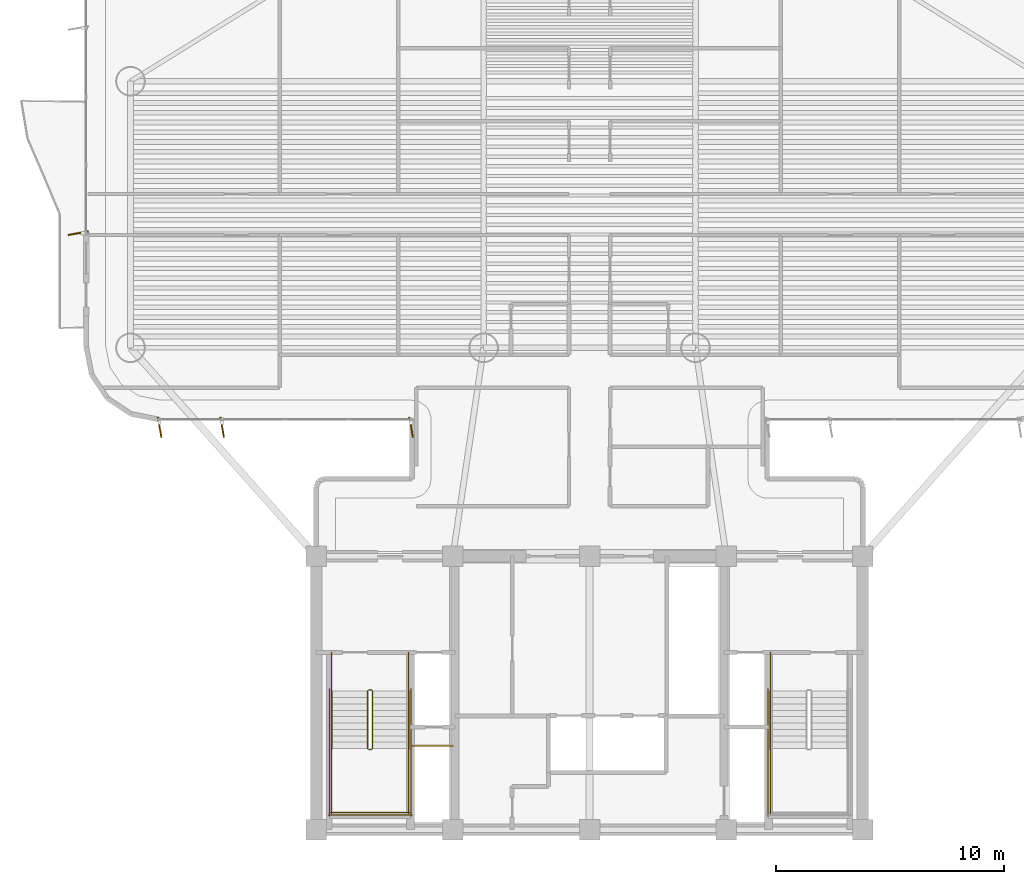
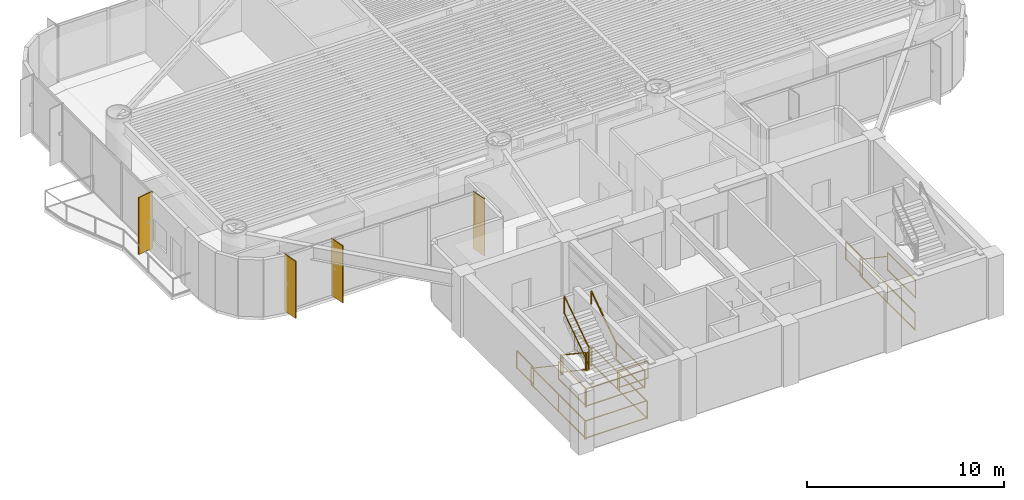
# One storey, part 13 of 16: 19 railings, 4 shading devices.
"""IFC4 building model written with IfcOpenShell, lengths in metres."""

from ifc_helpers import new_model, si_unit, direction, frame, origin, origin_2d, place, context, subcontext, project, spatial, rectangle, extrude, source, transform, mapped, material, layer, layer_set, material_profile, profile_set, type_object, element, save


model = new_model("IFC4")

# Units and contexts
model_context = context("Model", 3, precision=1e-05, world=origin(), true_north=direction((0.0, 1.0)))
body_context = subcontext(model_context, "Body", "Model", "MODEL_VIEW")
ifc_project = project(units=[si_unit("LENGTHUNIT", "METRE"), si_unit("AREAUNIT", "SQUARE_METRE"), si_unit("VOLUMEUNIT", "CUBIC_METRE"), si_unit("PLANEANGLEUNIT", "RADIAN"), si_unit("MASSUNIT", "GRAM", prefix="KILO")], contexts=[model_context])

# Site, building, storey
site_placement = place(None, origin())
site = spatial("IfcSite", under=ifc_project, at=site_placement, CompositionType="ELEMENT")
building_placement = place(site_placement, origin())
building = spatial("IfcBuilding", under=site, at=building_placement, Name="Brelvock Crest Care Tower", CompositionType="ELEMENT")
storey_placement = place(building_placement, frame((0.0, 0.0, 104.93994140625)))
storey = spatial("IfcBuildingStorey", under=building, at=storey_placement, Name="L26", CompositionType="ELEMENT", Elevation=104.93994140625)

# Railings
ifc_material_1 = material(Name="Steel Grade 350", Category="steel")
ifc_layer_1 = layer(ifc_material_1, 0.050048828125, Name="RL-STG1")
ifc_layer_set_1 = layer_set([ifc_layer_1], Name="Steel Grade 350")
railing_type_1 = type_object("IfcRailingType", Name="RL-STG1", PredefinedType="GUARDRAIL", material=ifc_layer_set_1)
railing_1_placement = place(storey_placement, frame((26.260009765625, 12.080078125, 0.18896484375)))
element("IfcRailing", 1, at=railing_1_placement, inside=storey, type_object=railing_type_1, Name="L26 ST-1 stair guard 1", PredefinedType="GUARDRAIL", context=body_context, shape_type="SweptSolid", body=[
    extrude(rectangle(XDim=0.048095703125, YDim=0.048095703125, at=origin_2d()), frame((0.0, -0.001708984375, 1.116943359375), z_axis=(0.0, -0.82882447046, 0.559508710537), x_axis=(1.0, 0.0, 0.0)), (0.0, 0.0, 1.0), 3.036376953125),
    extrude(rectangle(XDim=0.048095703125, YDim=0.048095703125, at=origin_2d()), frame((0.0, -0.001708984375, 0.05615234375), z_axis=(0.0, -0.82882447046, 0.559508710537), x_axis=(1.0, 0.0, 0.0)), (0.0, 0.0, 1.0), 3.036376953125),
    extrude(rectangle(XDim=0.0419921875, YDim=0.0419921875, at=origin_2d()), origin(), (0.0, 0.0, 1.0), 1.08984375),
    extrude(rectangle(XDim=0.0419921875, YDim=0.0419921875, at=origin_2d()), frame((0.0, -2.52001953125, 1.701171875)), (0.0, 0.0, 1.0), 1.08984375),
])
railing_2_placement = place(storey_placement, frame((26.31005859375, 9.510009765625, 1.89013671875)))
element("IfcRailing", 2, at=railing_2_placement, inside=storey, type_object=railing_type_1, Name="L26 ST-1 stair guard 2", PredefinedType="GUARDRAIL", context=body_context, shape_type="SweptSolid", body=[
    extrude(rectangle(XDim=0.048095703125, YDim=0.048095703125, at=origin_2d()), frame((0.001953125, 0.0, 1.11572265625), z_axis=(1.0, 0.0, 0.0), x_axis=(0.0, 1.0, 0.0)), (0.0, 0.0, 1.0), 0.115966796875),
    extrude(rectangle(XDim=0.048095703125, YDim=0.048095703125, at=origin_2d()), frame((0.001953125, 0.0, 0.054931640625), z_axis=(1.0, 0.0, 0.0), x_axis=(0.0, 1.0, 0.0)), (0.0, 0.0, 1.0), 0.115966796875),
    extrude(rectangle(XDim=0.0419921875, YDim=0.0419921875, at=origin_2d()), origin(), (0.0, 0.0, 1.0), 1.08984375),
    extrude(rectangle(XDim=0.0419921875, YDim=0.0419921875, at=origin_2d()), frame((0.119873046875, 0.0, 0.0)), (0.0, 0.0, 1.0), 1.08984375),
])
for number, where, name in (
    (3, (24.679931640625, 9.56005859375, 1.89013671875), "L26 ST-1 stair guard 3"),
    (4, (28.06005859375, 9.56005859375, 1.89013671875), "L26 ST-1 stair guard 4"),
):
    element("IfcRailing", number, at=place(storey_placement, frame(where)), inside=storey, type_object=railing_type_1, Name=name, PredefinedType="GUARDRAIL", context=body_context, shape_type="SweptSolid", body=[
        extrude(rectangle(XDim=0.048095703125, YDim=0.048095703125, at=origin_2d()), frame((0.0, -0.001953125, 1.11572265625), z_axis=(0.0, -1.0, 0.0), x_axis=(1.0, 0.0, 0.0)), (0.0, 0.0, 1.0), 2.856201171875),
        extrude(rectangle(XDim=0.048095703125, YDim=0.048095703125, at=origin_2d()), frame((0.0, -0.001953125, 0.054931640625), z_axis=(0.0, -1.0, 0.0), x_axis=(1.0, 0.0, 0.0)), (0.0, 0.0, 1.0), 2.856201171875),
        extrude(rectangle(XDim=0.0419921875, YDim=0.0419921875, at=origin_2d()), origin(), (0.0, 0.0, 1.0), 1.08984375),
        extrude(rectangle(XDim=0.0419921875, YDim=0.0419921875, at=origin_2d()), frame((0.0, -2.860107421875, 0.0)), (0.0, 0.0, 1.0), 1.08984375),
    ])
railing_3_placement = place(storey_placement, frame((24.6298828125, 6.75, 1.89013671875)))
element("IfcRailing", 5, at=railing_3_placement, inside=storey, type_object=railing_type_1, Name="L26 ST-1 stair guard 5", PredefinedType="GUARDRAIL", context=body_context, shape_type="SweptSolid", body=[
    extrude(rectangle(XDim=0.048095703125, YDim=0.048095703125, at=origin_2d()), frame((0.001953125, 0.0, 1.11572265625), z_axis=(1.0, 0.0, 0.0), x_axis=(0.0, 1.0, 0.0)), (0.0, 0.0, 1.0), 3.476318359375),
    extrude(rectangle(XDim=0.048095703125, YDim=0.048095703125, at=origin_2d()), frame((0.001953125, 0.0, 0.054931640625), z_axis=(1.0, 0.0, 0.0), x_axis=(0.0, 1.0, 0.0)), (0.0, 0.0, 1.0), 3.476318359375),
    extrude(rectangle(XDim=0.0419921875, YDim=0.0419921875, at=origin_2d()), origin(), (0.0, 0.0, 1.0), 1.08984375),
    extrude(rectangle(XDim=0.0419921875, YDim=0.0419921875, at=origin_2d()), frame((3.480224609375, 0.0, 0.0)), (0.0, 0.0, 1.0), 1.08984375),
])
railing_4_placement = place(storey_placement, frame((26.47998046875, 9.56005859375, 2.0791015625)))
element("IfcRailing", 6, at=railing_4_placement, inside=storey, type_object=railing_type_1, Name="L26 ST-1 stair guard 6", PredefinedType="GUARDRAIL", context=body_context, shape_type="SweptSolid", body=[
    extrude(rectangle(XDim=0.048095703125, YDim=0.048095703125, at=origin_2d()), frame((0.0, 0.001708984375, 1.116943359375), z_axis=(0.0, 0.828861706735, 0.559453546873), x_axis=(-1.0, 0.0, 0.0)), (0.0, 0.0, 1.0), 3.036376953125),
    extrude(rectangle(XDim=0.048095703125, YDim=0.048095703125, at=origin_2d()), frame((0.0, 0.001708984375, 0.05615234375), z_axis=(0.0, 0.828861706735, 0.559453546873), x_axis=(-1.0, 0.0, 0.0)), (0.0, 0.0, 1.0), 3.036376953125),
    extrude(rectangle(XDim=0.0419921875, YDim=0.0419921875, at=origin_2d()), origin(), (0.0, 0.0, 1.0), 1.08984375),
    extrude(rectangle(XDim=0.0419921875, YDim=0.0419921875, at=origin_2d()), frame((0.0, 2.52001953125, 1.700927734375)), (0.0, 0.0, 1.0), 1.08984375),
])
railing_5_placement = place(storey_placement, frame((26.31005859375, 12.1298828125, 0.0)))
element("IfcRailing", 7, at=railing_5_placement, inside=storey, type_object=railing_type_1, Name="L26 ST-1 stair guard 7", PredefinedType="GUARDRAIL", context=body_context, shape_type="SweptSolid", body=[
    extrude(rectangle(XDim=0.048095703125, YDim=0.048095703125, at=origin_2d()), frame((0.001953125, 0.0, 1.11572265625), z_axis=(1.0, 0.0, 0.0), x_axis=(0.0, 1.0, 0.0)), (0.0, 0.0, 1.0), 0.115966796875),
    extrude(rectangle(XDim=0.048095703125, YDim=0.048095703125, at=origin_2d()), frame((0.001953125, 0.0, 0.054931640625), z_axis=(1.0, 0.0, 0.0), x_axis=(0.0, 1.0, 0.0)), (0.0, 0.0, 1.0), 0.115966796875),
    extrude(rectangle(XDim=0.0419921875, YDim=0.0419921875, at=origin_2d()), origin(), (0.0, 0.0, 1.0), 1.08984375),
    extrude(rectangle(XDim=0.0419921875, YDim=0.0419921875, at=origin_2d()), frame((0.119873046875, 0.0, 0.0)), (0.0, 0.0, 1.0), 1.08984375),
])
for number, where, name in (
    (8, (24.679931640625, 13.780029296875, 0.0), "L26 ST-1 stair guard 8"),
    (9, (28.06005859375, 13.780029296875, 0.0), "L26 ST-1 stair guard 9"),
):
    element("IfcRailing", number, at=place(storey_placement, frame(where)), inside=storey, type_object=railing_type_1, Name=name, PredefinedType="GUARDRAIL", context=body_context, shape_type="SweptSolid", body=[
        extrude(rectangle(XDim=0.048095703125, YDim=0.048095703125, at=origin_2d()), frame((0.0, -0.001953125, 1.11572265625), z_axis=(0.0, -1.0, 0.0), x_axis=(1.0, 0.0, 0.0)), (0.0, 0.0, 1.0), 1.696044921875),
        extrude(rectangle(XDim=0.048095703125, YDim=0.048095703125, at=origin_2d()), frame((0.0, -0.001953125, 0.054931640625), z_axis=(0.0, -1.0, 0.0), x_axis=(1.0, 0.0, 0.0)), (0.0, 0.0, 1.0), 1.696044921875),
        extrude(rectangle(XDim=0.0419921875, YDim=0.0419921875, at=origin_2d()), origin(), (0.0, 0.0, 1.0), 1.08984375),
        extrude(rectangle(XDim=0.0419921875, YDim=0.0419921875, at=origin_2d()), frame((0.0, -1.699951171875, 0.0)), (0.0, 0.0, 1.0), 1.08984375),
    ])
for number, where, name in (
    (10, (24.580078125, 12.179931640625, 0.0), "L26 ST-1 stair guard 10"),
    (11, (28.159912109375, 12.179931640625, 0.0), "L26 ST-1 stair guard 11"),
):
    element("IfcRailing", number, at=place(storey_placement, frame(where)), inside=storey, type_object=railing_type_1, Name=name, PredefinedType="GUARDRAIL", context=body_context, shape_type="SweptSolid", body=[
        extrude(rectangle(XDim=0.048095703125, YDim=0.048095703125, at=origin_2d()), frame((0.0, -0.001953125, 1.11572265625), z_axis=(0.0, -1.0, 0.0), x_axis=(1.0, 0.0, 0.0)), (0.0, 0.0, 1.0), 5.575927734375),
        extrude(rectangle(XDim=0.048095703125, YDim=0.048095703125, at=origin_2d()), frame((0.0, -0.001953125, 0.054931640625), z_axis=(0.0, -1.0, 0.0), x_axis=(1.0, 0.0, 0.0)), (0.0, 0.0, 1.0), 5.575927734375),
        extrude(rectangle(XDim=0.0419921875, YDim=0.0419921875, at=origin_2d()), origin(), (0.0, 0.0, 1.0), 1.08984375),
        extrude(rectangle(XDim=0.0419921875, YDim=0.0419921875, at=origin_2d()), frame((0.0, -2.7900390625, 0.0)), (0.0, 0.0, 1.0), 1.08984375),
        extrude(rectangle(XDim=0.0419921875, YDim=0.0419921875, at=origin_2d()), frame((0.0, -5.579833984375, 0.0)), (0.0, 0.0, 1.0), 1.08984375),
    ])
railing_6_placement = place(storey_placement, frame((24.530029296875, 6.64990234375, 0.0)))
element("IfcRailing", 12, at=railing_6_placement, inside=storey, type_object=railing_type_1, Name="L26 ST-1 stair guard 12", PredefinedType="GUARDRAIL", context=body_context, shape_type="SweptSolid", body=[
    extrude(rectangle(XDim=0.048095703125, YDim=0.048095703125, at=origin_2d()), frame((0.001953125, 0.0, 1.11572265625), z_axis=(1.0, 0.0, 0.0), x_axis=(0.0, 1.0, 0.0)), (0.0, 0.0, 1.0), 3.676025390625),
    extrude(rectangle(XDim=0.048095703125, YDim=0.048095703125, at=origin_2d()), frame((0.001953125, 0.0, 0.054931640625), z_axis=(1.0, 0.0, 0.0), x_axis=(0.0, 1.0, 0.0)), (0.0, 0.0, 1.0), 3.676025390625),
    extrude(rectangle(XDim=0.0419921875, YDim=0.0419921875, at=origin_2d()), origin(), (0.0, 0.0, 1.0), 1.08984375),
    extrude(rectangle(XDim=0.0419921875, YDim=0.0419921875, at=origin_2d()), frame((3.679931640625, 0.0, 0.0)), (0.0, 0.0, 1.0), 1.08984375),
])
railing_7_placement = place(storey_placement, frame((43.93994140625, 9.56005859375, 1.89013671875)))
element("IfcRailing", 13, at=railing_7_placement, inside=storey, type_object=railing_type_1, Name="L26 ST-2 stair guard 3", PredefinedType="GUARDRAIL", context=body_context, shape_type="SweptSolid", body=[
    extrude(rectangle(XDim=0.048095703125, YDim=0.048095703125, at=origin_2d()), frame((0.0, -0.001953125, 1.11572265625), z_axis=(0.0, -1.0, 0.0), x_axis=(1.0, 0.0, 0.0)), (0.0, 0.0, 1.0), 2.856201171875),
    extrude(rectangle(XDim=0.048095703125, YDim=0.048095703125, at=origin_2d()), frame((0.0, -0.001953125, 0.054931640625), z_axis=(0.0, -1.0, 0.0), x_axis=(1.0, 0.0, 0.0)), (0.0, 0.0, 1.0), 2.856201171875),
    extrude(rectangle(XDim=0.0419921875, YDim=0.0419921875, at=origin_2d()), origin(), (0.0, 0.0, 1.0), 1.08984375),
    extrude(rectangle(XDim=0.0419921875, YDim=0.0419921875, at=origin_2d()), frame((0.0, -2.860107421875, 0.0)), (0.0, 0.0, 1.0), 1.08984375),
])
railing_8_placement = place(storey_placement, frame((43.93994140625, 13.780029296875, 0.0)))
element("IfcRailing", 14, at=railing_8_placement, inside=storey, type_object=railing_type_1, Name="L26 ST-2 stair guard 8", PredefinedType="GUARDRAIL", context=body_context, shape_type="SweptSolid", body=[
    extrude(rectangle(XDim=0.048095703125, YDim=0.048095703125, at=origin_2d()), frame((0.0, -0.001953125, 1.11572265625), z_axis=(0.0, -1.0, 0.0), x_axis=(1.0, 0.0, 0.0)), (0.0, 0.0, 1.0), 1.696044921875),
    extrude(rectangle(XDim=0.048095703125, YDim=0.048095703125, at=origin_2d()), frame((0.0, -0.001953125, 0.054931640625), z_axis=(0.0, -1.0, 0.0), x_axis=(1.0, 0.0, 0.0)), (0.0, 0.0, 1.0), 1.696044921875),
    extrude(rectangle(XDim=0.0419921875, YDim=0.0419921875, at=origin_2d()), origin(), (0.0, 0.0, 1.0), 1.08984375),
    extrude(rectangle(XDim=0.0419921875, YDim=0.0419921875, at=origin_2d()), frame((0.0, -1.699951171875, 0.0)), (0.0, 0.0, 1.0), 1.08984375),
])
railing_9_placement = place(storey_placement, frame((43.840087890625, 12.179931640625, 0.0)))
element("IfcRailing", 15, at=railing_9_placement, inside=storey, type_object=railing_type_1, Name="L26 ST-2 stair guard 10", PredefinedType="GUARDRAIL", context=body_context, shape_type="SweptSolid", body=[
    extrude(rectangle(XDim=0.048095703125, YDim=0.048095703125, at=origin_2d()), frame((0.0, -0.001953125, 1.11572265625), z_axis=(0.0, -1.0, 0.0), x_axis=(1.0, 0.0, 0.0)), (0.0, 0.0, 1.0), 5.575927734375),
    extrude(rectangle(XDim=0.048095703125, YDim=0.048095703125, at=origin_2d()), frame((0.0, -0.001953125, 0.054931640625), z_axis=(0.0, -1.0, 0.0), x_axis=(1.0, 0.0, 0.0)), (0.0, 0.0, 1.0), 5.575927734375),
    extrude(rectangle(XDim=0.0419921875, YDim=0.0419921875, at=origin_2d()), origin(), (0.0, 0.0, 1.0), 1.08984375),
    extrude(rectangle(XDim=0.0419921875, YDim=0.0419921875, at=origin_2d()), frame((0.0, -2.7900390625, 0.0)), (0.0, 0.0, 1.0), 1.08984375),
    extrude(rectangle(XDim=0.0419921875, YDim=0.0419921875, at=origin_2d()), frame((0.0, -5.579833984375, 0.0)), (0.0, 0.0, 1.0), 1.08984375),
])
railing_10_placement = place(storey_placement, frame((28.219970703125, 9.679931640625, 0.0)))
element("IfcRailing", 16, at=railing_10_placement, inside=storey, type_object=railing_type_1, Name="L26 Fire Riser Threshold Guard", PredefinedType="GUARDRAIL", context=body_context, shape_type="SweptSolid", body=[
    extrude(rectangle(XDim=0.048095703125, YDim=0.048095703125, at=origin_2d()), frame((0.001953125, 0.0, 1.11572265625), z_axis=(1.0, 0.0, 0.0), x_axis=(0.0, 1.0, 0.0)), (0.0, 0.0, 1.0), 1.776123046875),
    extrude(rectangle(XDim=0.048095703125, YDim=0.048095703125, at=origin_2d()), frame((0.001953125, 0.0, 0.054931640625), z_axis=(1.0, 0.0, 0.0), x_axis=(0.0, 1.0, 0.0)), (0.0, 0.0, 1.0), 1.776123046875),
    extrude(rectangle(XDim=0.0419921875, YDim=0.0419921875, at=origin_2d()), origin(), (0.0, 0.0, 1.0), 1.08984375),
    extrude(rectangle(XDim=0.0419921875, YDim=0.0419921875, at=origin_2d()), frame((1.780029296875, 0.0, 0.0)), (0.0, 0.0, 1.0), 1.08984375),
])
ifc_layer_2 = layer(ifc_material_1, 0.048095703125, Name="RL-STH1")
ifc_layer_set_2 = layer_set([ifc_layer_2], Name="Steel Grade 350")
railing_type_2 = type_object("IfcRailingType", Name="RL-STH1", PredefinedType="HANDRAIL", material=ifc_layer_set_2)
railing_11_placement = place(storey_placement, frame((24.679931640625, 12.080078125, 0.18896484375)))
element("IfcRailing", 17, at=railing_11_placement, inside=storey, type_object=railing_type_2, Name="L26 ST-1 stair handrail 1", PredefinedType="HANDRAIL", context=body_context, shape_type="SweptSolid", body=[
    extrude(rectangle(XDim=0.048095703125, YDim=0.048095703125, at=origin_2d()), frame((0.0, -0.001708984375, 0.876953125), z_axis=(0.0, -0.82882447046, 0.559508710537), x_axis=(1.0, 0.0, 0.0)), (0.0, 0.0, 1.0), 3.036376953125),
    extrude(rectangle(XDim=0.0419921875, YDim=0.0419921875, at=origin_2d()), origin(), (0.0, 0.0, 1.0), 0.849853515625),
    extrude(rectangle(XDim=0.0419921875, YDim=0.0419921875, at=origin_2d()), frame((0.0, -2.52001953125, 1.701171875)), (0.0, 0.0, 1.0), 0.849853515625),
])
railing_12_placement = place(storey_placement, frame((28.06005859375, 9.56005859375, 2.0791015625)))
element("IfcRailing", 18, at=railing_12_placement, inside=storey, type_object=railing_type_2, Name="L26 ST-1 stair handrail 2", PredefinedType="HANDRAIL", context=body_context, shape_type="SweptSolid", body=[
    extrude(rectangle(XDim=0.048095703125, YDim=0.048095703125, at=origin_2d()), frame((0.0, 0.001708984375, 0.876953125), z_axis=(0.0, 0.828861706735, 0.559453546873), x_axis=(-1.0, 0.0, 0.0)), (0.0, 0.0, 1.0), 3.036376953125),
    extrude(rectangle(XDim=0.0419921875, YDim=0.0419921875, at=origin_2d()), origin(), (0.0, 0.0, 1.0), 0.849853515625),
    extrude(rectangle(XDim=0.0419921875, YDim=0.0419921875, at=origin_2d()), frame((0.0, 2.52001953125, 1.700927734375)), (0.0, 0.0, 1.0), 0.849853515625),
])
railing_13_placement = place(storey_placement, frame((43.93994140625, 12.080078125, 0.18896484375)))
element("IfcRailing", 19, at=railing_13_placement, inside=storey, type_object=railing_type_2, Name="L26 ST-2 stair handrail 1", PredefinedType="HANDRAIL", context=body_context, shape_type="SweptSolid", body=[
    extrude(rectangle(XDim=0.048095703125, YDim=0.048095703125, at=origin_2d()), frame((0.0, -0.001708984375, 0.876953125), z_axis=(0.0, -0.82882447046, 0.559508710537), x_axis=(1.0, 0.0, 0.0)), (0.0, 0.0, 1.0), 3.036376953125),
    extrude(rectangle(XDim=0.0419921875, YDim=0.0419921875, at=origin_2d()), origin(), (0.0, 0.0, 1.0), 0.849853515625),
    extrude(rectangle(XDim=0.0419921875, YDim=0.0419921875, at=origin_2d()), frame((0.0, -2.52001953125, 1.701171875)), (0.0, 0.0, 1.0), 0.849853515625),
])

# Shading devices
ifc_material_2 = material(Name="Aluminium 6063-T6", Category="aluminium")
ifc_material_profile = material_profile(ifc_material_2, rectangle(XDim=0.054931640625, YDim=0.89990234375, at=origin_2d()), Name="FIN55x900")
ifc_profile_set = profile_set([ifc_material_profile], Name="Aluminium 6063-T6")
shading_device_type = type_object("IfcShadingDeviceType", Name="SHD-FIN1", PredefinedType="USERDEFINED", material=ifc_profile_set)
shared_shape = source(origin(), body_context, "Body", "SweptSolid", [
    extrude(rectangle(XDim=0.054931640625, YDim=0.89990234375, at=origin_2d()), origin(), (0.0, 0.0, 1.0), 3.530029296875),
])
for number, where, z_axis, x_axis, name in (
    (20, (28.169921875, 23.659912109375, 0.0), (0.0, 0.0, 1.0), (-0.984807753012, -0.173648177667, 0.0), "L26 Vertical Sunshade Fin E12-01"),
    (21, (19.875, 23.659912109375, 0.0), (0.0, 0.0, 1.0), (-0.984807753012, -0.173648177667, 0.0), "L26 Vertical Sunshade Fin E12-04"),
    (22, (17.1298828125, 23.659912109375, 0.0), (0.0, 0.0, 1.0), (-0.984807753012, -0.173648177667, 0.0), "L26 Vertical Sunshade Fin E12-05"),
    (23, (13.56005859375, 32.179931640625, 0.0), (0.0, 0.0, 1.0), (-0.173648177667, 0.984807753012, 0.0), "L26 Vertical Sunshade Fin E17B-01"),
):
    element("IfcShadingDevice", number, at=place(storey_placement, frame(where, z_axis=z_axis, x_axis=x_axis)), inside=storey, type_object=shading_device_type, Name=name, ObjectType="FIN", PredefinedType="USERDEFINED", context=body_context, shape_type="MappedRepresentation", body=[
        mapped(shared_shape, transform((0.0, 0.0, 0.0), x_axis=(1.0, 0.0, 0.0), y_axis=(0.0, 1.0, 0.0), z_axis=(0.0, 0.0, 1.0), scale=1.0)),
    ])

save(model, "model.ifc")
